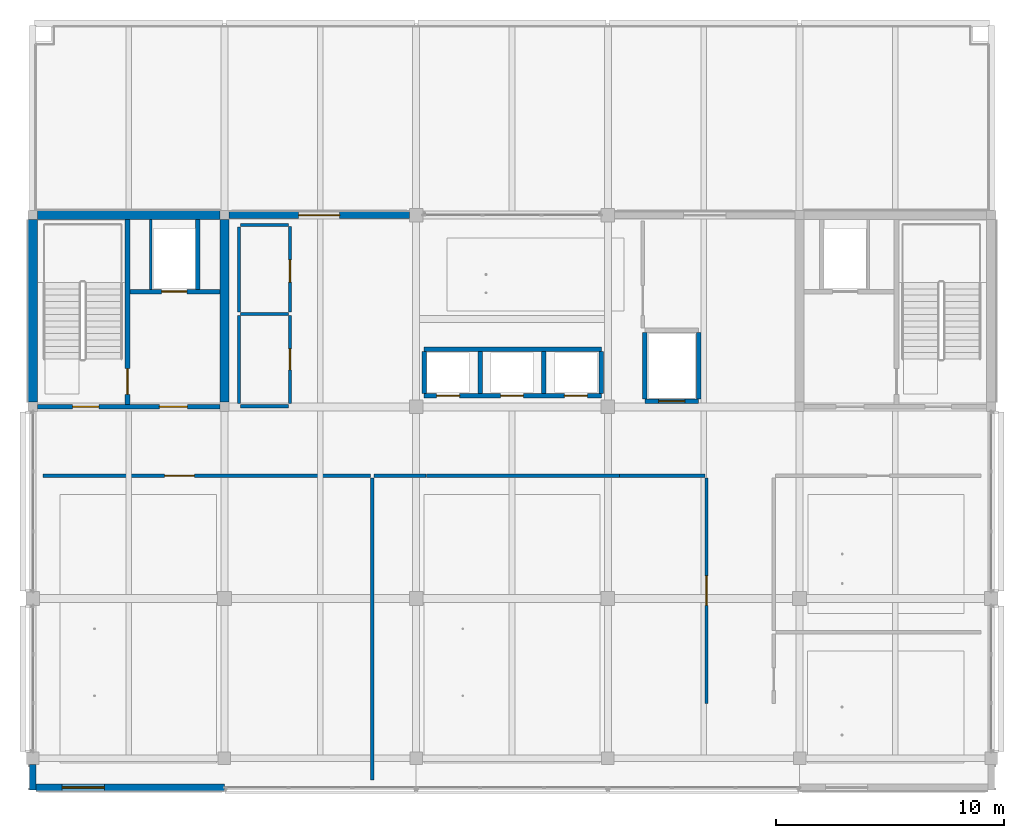
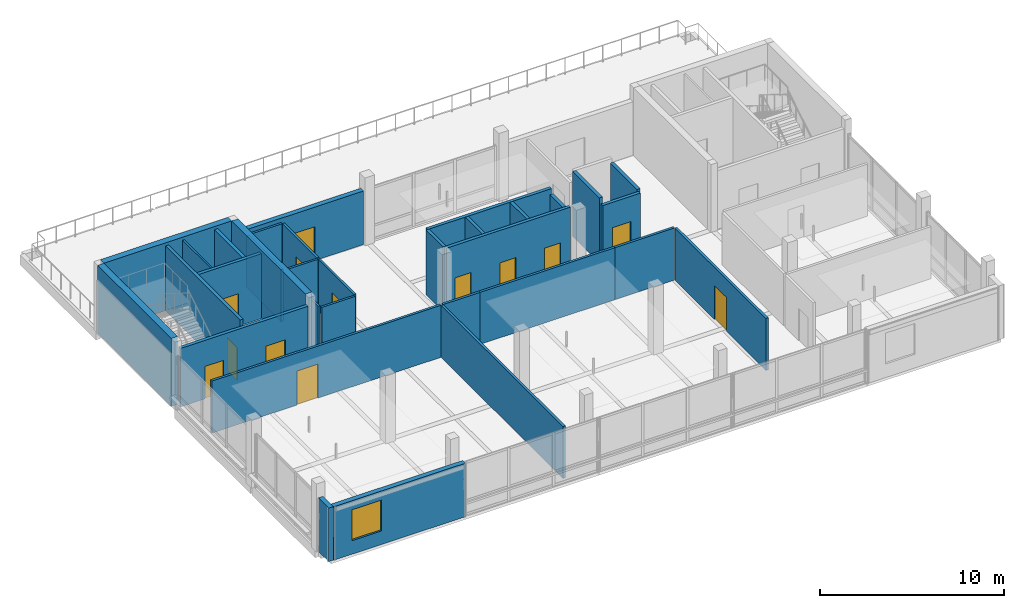
# One storey, part 8 of 25: 33 walls, 13 doors, 1 window, 14 openings.
"""IFC4 building model written with IfcOpenShell, lengths in metres."""

from ifc_helpers import new_model, si_unit, direction, frame, frame_2d, origin, place, context, subcontext, project, spatial, rectangle, extrude, material, layer, layer_set, type_object, element, fill, save


model = new_model("IFC4")

# Units and contexts
model_context = context("Model", 3, precision=1e-05, world=origin(), true_north=direction((0.0, 1.0)))
body_context = subcontext(model_context, "Body", "Model", "MODEL_VIEW")
ifc_project = project(units=[si_unit("LENGTHUNIT", "METRE"), si_unit("AREAUNIT", "SQUARE_METRE"), si_unit("VOLUMEUNIT", "CUBIC_METRE"), si_unit("PLANEANGLEUNIT", "RADIAN"), si_unit("MASSUNIT", "GRAM", prefix="KILO")], contexts=[model_context])

# Site, building, storey
site_placement = place(None, origin())
site = spatial("IfcSite", under=ifc_project, at=site_placement, CompositionType="ELEMENT")
building_placement = place(site_placement, origin())
building = spatial("IfcBuilding", under=site, at=building_placement, Name="Telukmera Botanical Conservatory", CompositionType="ELEMENT")
storey_placement = place(building_placement, frame((0.0, 0.0, 64.5)))
storey = spatial("IfcBuildingStorey", under=building, at=storey_placement, Name="L14", CompositionType="ELEMENT", Elevation=64.5)

# Wall
ifc_material_1 = material(Name="Terracotta-faced precast concrete C40/50", Category="masonry")
ifc_layer_1 = layer(ifc_material_1, 0.300048828125)
ifc_layer_set_1 = layer_set([ifc_layer_1], Name="Terracotta-faced precast concrete C40/50")
wall_type_1 = type_object("IfcWallType", Name="Exterior Polychrome Terracotta Precast Wall 300", PredefinedType="SOLIDWALL", material=ifc_layer_set_1)
wall_1_placement = place(storey_placement, frame((58.800048828125, 9.199951171875, 0.0), z_axis=(0.0, 0.0, 1.0), x_axis=(0.0, 1.0, 0.0)))
element("IfcWall", 1, at=wall_1_placement, inside=storey, type_object=wall_type_1, Name="Exterior Precast Wall EW02 V4:L14:SWC", PredefinedType="SOLIDWALL", context=body_context, shape_type="SweptSolid", body=[
    extrude(rectangle(XDim=1.123046875, YDim=0.300048828125, at=frame_2d((0.5615234375, 0.0))), origin(), (0.0, 0.0, 1.0), 3.550048828125),
])

# Wall, opening, window
wall_2_placement = place(storey_placement, frame((58.951904296875, 9.320068359375, 0.0), z_axis=(0.0, 0.0, 1.0), x_axis=(1.0, 0.0, 0.0)))
wall_2 = element("IfcWall", 2, at=wall_2_placement, inside=storey, type_object=wall_type_1, Name="Exterior Precast Wall EW02 V4:L14:S1", PredefinedType="SOLIDWALL", context=body_context, shape_type="SweptSolid", body=[
    extrude(rectangle(XDim=8.24609375, YDim=0.300048828125, at=frame_2d((4.123046875, 0.0))), origin(), (0.0, 0.0, 1.0), 3.550048828125),
])
opening_1_placement = place(wall_2_placement, frame((1.136474609375, 0.0, 0.89990234375)))
opening_1 = element("IfcOpeningElement", 3, at=opening_1_placement, cuts=wall_2, Name="Opening W12", PredefinedType="OPENING", context=body_context, shape_type="SweptSolid", body=[
    extrude(rectangle(XDim=1.85009765625, YDim=2.050048828125, at=frame_2d((0.925048828125, 1.02490234375))), frame((0.0, 0.159912109375, 0.0), z_axis=(0.0, -1.0, 0.0), x_axis=(1.0, 0.0, 0.0)), (0.0, 0.0, 1.0), 0.320068359375),
])
ifc_material_2 = material(Name="Thermally broken anodised aluminium frame with low-E double glazing", Category="aluminium")
window_type = type_object("IfcWindowType", Name="Double Horizontal Seminar Suite Window 1850x2050", PartitioningType="DOUBLE_PANEL_HORIZONTAL", PredefinedType="WINDOW", material=ifc_material_2)
window_placement = place(opening_1_placement, origin())
window = element("IfcWindow", 4, at=window_placement, inside=storey, type_object=window_type, Name="Facade Window W12 V4:L14:S1 1", OverallHeight=2.050048828125, OverallWidth=1.85009765625, PartitioningType="DOUBLE_PANEL_HORIZONTAL", PredefinedType="WINDOW", context=body_context, shape_type="SweptSolid", body=[
    extrude(rectangle(XDim=1.85009765625, YDim=2.050048828125, at=frame_2d((0.925048828125, 1.02490234375))), frame((0.0, 0.030029296875, 0.0), z_axis=(0.0, -1.0, 0.0), x_axis=(1.0, 0.0, 0.0)), (0.0, 0.0, 1.0), 0.06005859375),
])
fill(opening_1, window)

# Wall, opening, door
wall_3_placement = place(storey_placement, frame((67.402099609375, 34.39990234375, 0.0), z_axis=(0.0, 0.0, 1.0), x_axis=(1.0, 0.0, 0.0)))
wall_3 = element("IfcWall", 5, at=wall_3_placement, inside=storey, type_object=wall_type_1, Name="Exterior Precast Wall EW02 V4:L14:N2", PredefinedType="SOLIDWALL", context=body_context, shape_type="SweptSolid", body=[
    extrude(rectangle(XDim=7.89599609375, YDim=0.300048828125, at=frame_2d((3.947998046875, 0.0))), origin(), (0.0, 0.0, 1.0), 3.550048828125),
])
opening_2_placement = place(wall_3_placement, frame((3.048095703125, 0.0, 0.0)))
opening_2 = element("IfcOpeningElement", 6, at=opening_2_placement, cuts=wall_3, Name="Opening DT1401", PredefinedType="OPENING", context=body_context, shape_type="SweptSolid", body=[
    extrude(rectangle(XDim=1.800048828125, YDim=2.25, at=frame_2d((0.89990234375, 1.125))), frame((0.0, 0.159912109375, 0.0), z_axis=(0.0, -1.0, 0.0), x_axis=(1.0, 0.0, 0.0)), (0.0, 0.0, 1.0), 0.320068359375),
])
ifc_material_3 = material(Name="Thermally broken anodised aluminium glazed door assembly", Category="aluminium")
door_type_1 = type_object("IfcDoorType", Name="Level 14 Symposium Sky Terrace West Glazed Door 1800x2250", OperationType="NOTDEFINED", PredefinedType="DOOR", material=ifc_material_3)
door_1_placement = place(opening_2_placement, origin())
door_1 = element("IfcDoor", 7, at=door_1_placement, inside=storey, type_object=door_type_1, Name="Exterior Door DT1401", OperationType="DOUBLE_DOOR_SINGLE_SWING", OverallHeight=2.25, OverallWidth=1.800048828125, PredefinedType="DOOR", context=body_context, shape_type="SweptSolid", body=[
    extrude(rectangle(XDim=1.800048828125, YDim=2.25, at=frame_2d((0.89990234375, 1.125))), frame((0.0, 0.02490234375, 0.0), z_axis=(0.0, -1.0, 0.0), x_axis=(1.0, 0.0, 0.0)), (0.0, 0.0, 1.0), 0.050048828125),
])
fill(opening_2, door_1)

# Wall, openings, doors
ifc_material_4 = material(Name="Concrete C40/50", Category="concrete")
ifc_layer_2 = layer(ifc_material_4, 0.199951171875)
ifc_layer_set_2 = layer_set([ifc_layer_2], Name="Concrete C40/50")
wall_type_2 = type_object("IfcWallType", Name="WT-CORE-200", PredefinedType="SOLIDWALL", material=ifc_layer_set_2)
wall_4_placement = place(storey_placement, frame((59.0, 26.0, 0.0), z_axis=(0.0, 0.0, 1.0), x_axis=(1.0, 0.0, 0.0)))
wall_4 = element("IfcWall", 8, at=wall_4_placement, inside=storey, type_object=wall_type_2, Name="L14 Core C1 South Fire Wall", PredefinedType="SOLIDWALL", context=body_context, shape_type="SweptSolid", body=[
    extrude(rectangle(XDim=8.0, YDim=0.199951171875, at=frame_2d((4.0, 0.0))), origin(), (0.0, 0.0, 1.0), 3.8798828125),
])
opening_3_placement = place(wall_4_placement, frame((1.550048828125, 0.0, 0.0)))
opening_3 = element("IfcOpeningElement", 9, at=opening_3_placement, cuts=wall_4, Name="Opening FD60A", PredefinedType="OPENING", context=body_context, shape_type="SweptSolid", body=[
    extrude(rectangle(XDim=1.14990234375, YDim=2.14990234375, at=frame_2d((0.574951171875, 1.074951171875))), frame((0.0, 0.10986328125, 0.0), z_axis=(0.0, -1.0, 0.0), x_axis=(1.0, 0.0, 0.0)), (0.0, 0.0, 1.0), 0.219970703125),
])
opening_4_placement = place(wall_4_placement, frame((5.35009765625, 0.0, 0.0)))
opening_4 = element("IfcOpeningElement", 10, at=opening_4_placement, cuts=wall_4, Name="Opening FD60C", PredefinedType="OPENING", context=body_context, shape_type="SweptSolid", body=[
    extrude(rectangle(XDim=1.219970703125, YDim=2.14990234375, at=frame_2d((0.60986328125, 1.074951171875))), frame((0.0, 0.10986328125, 0.0), z_axis=(0.0, -1.0, 0.0), x_axis=(1.0, 0.0, 0.0)), (0.0, 0.0, 1.0), 0.219970703125),
])
ifc_material_5 = material(Name="Hardwood fire door", Category="wood")
door_type_2 = type_object("IfcDoorType", Name="DT-FD60-01", OperationType="NOTDEFINED", PredefinedType="DOOR", material=ifc_material_5)
door_2_placement = place(opening_3_placement, origin())
door_2 = element("IfcDoor", 11, at=door_2_placement, inside=storey, type_object=door_type_2, Name="L14 Stair ST1 Escape Door", OperationType="SINGLE_SWING_RIGHT", OverallHeight=2.14990234375, OverallWidth=1.14990234375, PredefinedType="DOOR", context=body_context, shape_type="SweptSolid", body=[
    extrude(rectangle(XDim=1.14990234375, YDim=2.14990234375, at=frame_2d((0.574951171875, 1.074951171875))), frame((0.0, 0.02490234375, 0.0), z_axis=(0.0, -1.0, 0.0), x_axis=(1.0, 0.0, 0.0)), (0.0, 0.0, 1.0), 0.050048828125),
])
fill(opening_3, door_2)
door_type_3 = type_object("IfcDoorType", Name="DT-FD60-03", OperationType="NOTDEFINED", PredefinedType="DOOR", material=ifc_material_5)
door_3_placement = place(opening_4_placement, origin())
door_3 = element("IfcDoor", 12, at=door_3_placement, inside=storey, type_object=door_type_3, Name="L14 Firefighting Lobby C1 Door", OperationType="SINGLE_SWING_LEFT", OverallHeight=2.14990234375, OverallWidth=1.219970703125, PredefinedType="DOOR", context=body_context, shape_type="SweptSolid", body=[
    extrude(rectangle(XDim=1.219970703125, YDim=2.14990234375, at=frame_2d((0.60986328125, 1.074951171875))), frame((0.0, 0.02490234375, 0.0), z_axis=(0.0, -1.0, 0.0), x_axis=(1.0, 0.0, 0.0)), (0.0, 0.0, 1.0), 0.050048828125),
])
fill(opening_4, door_3)

# Wall, opening, door
wall_5_placement = place(storey_placement, frame((62.949951171875, 26.10009765625, 0.0), z_axis=(0.0, 0.0, 1.0), x_axis=(0.0, 1.0, 0.0)))
wall_5 = element("IfcWall", 13, at=wall_5_placement, inside=storey, type_object=wall_type_2, Name="L14 Core C1 Stair-Lobby Wall", PredefinedType="SOLIDWALL", context=body_context, shape_type="SweptSolid", body=[
    extrude(rectangle(XDim=8.099853515625, YDim=0.199951171875, at=frame_2d((4.0498046875, 0.0))), origin(), (0.0, 0.0, 1.0), 4.300048828125),
])
opening_5_placement = place(wall_5_placement, frame((0.449951171875, 0.0, 0.0)))
opening_5 = element("IfcOpeningElement", 14, at=opening_5_placement, cuts=wall_5, Name="Opening FD60B", PredefinedType="OPENING", context=body_context, shape_type="SweptSolid", body=[
    extrude(rectangle(XDim=1.1201171875, YDim=2.14990234375, at=frame_2d((0.56005859375, 1.074951171875))), frame((0.0, 0.10986328125, 0.0), z_axis=(0.0, -1.0, 0.0), x_axis=(1.0, 0.0, 0.0)), (0.0, 0.0, 1.0), 0.219970703125),
])
door_type_4 = type_object("IfcDoorType", Name="DT-FD60-02", OperationType="NOTDEFINED", PredefinedType="DOOR", material=ifc_material_5)
door_4_placement = place(opening_5_placement, origin())
door_4 = element("IfcDoor", 15, at=door_4_placement, inside=storey, type_object=door_type_4, Name="L14 Firefighting Lobby C1 to ST1 Door", OperationType="SINGLE_SWING_RIGHT", OverallHeight=2.14990234375, OverallWidth=1.1201171875, PredefinedType="DOOR", context=body_context, shape_type="SweptSolid", body=[
    extrude(rectangle(XDim=1.1201171875, YDim=2.14990234375, at=frame_2d((0.56005859375, 1.074951171875))), frame((0.0, 0.02490234375, 0.0), z_axis=(0.0, -1.0, 0.0), x_axis=(1.0, 0.0, 0.0)), (0.0, 0.0, 1.0), 0.050048828125),
])
fill(opening_5, door_4)

wall_6_placement = place(storey_placement, frame((63.050048828125, 31.050048828125, 0.0), z_axis=(0.0, 0.0, 1.0), x_axis=(1.0, 0.0, 0.0)))
wall_6 = element("IfcWall", 16, at=wall_6_placement, inside=storey, type_object=wall_type_2, Name="L14 Fire Lift FL1 Shaft Front Wall", PredefinedType="SOLIDWALL", context=body_context, shape_type="SweptSolid", body=[
    extrude(rectangle(XDim=3.949951171875, YDim=0.199951171875, at=frame_2d((1.97509765625, 0.0))), origin(), (0.0, 0.0, 1.0), 4.300048828125),
])
opening_6_placement = place(wall_6_placement, frame((1.39990234375, 0.0, 0.0)))
opening_6 = element("IfcOpeningElement", 17, at=opening_6_placement, cuts=wall_6, Name="Opening LD01", PredefinedType="OPENING", context=body_context, shape_type="SweptSolid", body=[
    extrude(rectangle(XDim=1.10009765625, YDim=2.14990234375, at=frame_2d((0.550048828125, 1.074951171875))), frame((0.0, 0.10986328125, 0.0), z_axis=(0.0, -1.0, 0.0), x_axis=(1.0, 0.0, 0.0)), (0.0, 0.0, 1.0), 0.219970703125),
])
ifc_material_6 = material(Name="Stainless steel 316", Category="steel")
door_type_5 = type_object("IfcDoorType", Name="DT-LD01", OperationType="SLIDING_TO_LEFT", PredefinedType="DOOR", material=ifc_material_6)
door_5_placement = place(opening_6_placement, frame((1.10009765625, 0.0, 0.0), z_axis=(0.0, 0.0, 1.0), x_axis=(-1.0, 0.0, 0.0)))
door_5 = element("IfcDoor", 18, at=door_5_placement, inside=storey, type_object=door_type_5, Name="L14 Lift Landing Door FL1", OperationType="SLIDING_TO_LEFT", OverallHeight=2.14990234375, OverallWidth=1.10009765625, PredefinedType="DOOR", context=body_context, shape_type="SweptSolid", body=[
    extrude(rectangle(XDim=1.10009765625, YDim=2.14990234375, at=frame_2d((0.550048828125, 1.074951171875))), frame((0.0, 0.02490234375, 0.0), z_axis=(0.0, -1.0, 0.0), x_axis=(1.0, 0.0, 0.0)), (0.0, 0.0, 1.0), 0.050048828125),
])
fill(opening_6, door_5)

# Wall
wall_7_placement = place(storey_placement, frame((66.02001953125, 31.14990234375, 0.0), z_axis=(0.0, 0.0, 1.0), x_axis=(0.0, 1.0, 0.0)))
element("IfcWall", 19, at=wall_7_placement, inside=storey, type_object=wall_type_2, Name="L14 Fire Lift FL1 Shaft East Wall", PredefinedType="SOLIDWALL", context=body_context, shape_type="SweptSolid", body=[
    extrude(rectangle(XDim=3.050048828125, YDim=0.199951171875, at=frame_2d((1.52490234375, 0.0))), origin(), (0.0, 0.0, 1.0), 4.300048828125),
])

# Wall, openings, doors
wall_8_placement = place(storey_placement, frame((75.949951171875, 26.47998046875, 0.0), z_axis=(0.0, 0.0, 1.0), x_axis=(1.0, 0.0, 0.0)))
wall_8 = element("IfcWall", 20, at=wall_8_placement, inside=storey, type_object=wall_type_2, Name="L14 Passenger Lift Bank Front Wall", PredefinedType="SOLIDWALL", context=body_context, shape_type="SweptSolid", body=[
    extrude(rectangle(XDim=7.77001953125, YDim=0.199951171875, at=frame_2d((3.885009765625, 0.0))), origin(), (0.0, 0.0, 1.0), 4.300048828125),
])
opening_7_placement = place(wall_8_placement, frame((0.550048828125, 0.0, 0.0)))
opening_7 = element("IfcOpeningElement", 21, at=opening_7_placement, cuts=wall_8, Name="Opening LD03", PredefinedType="OPENING", context=body_context, shape_type="SweptSolid", body=[
    extrude(rectangle(XDim=1.0, YDim=2.14990234375, at=frame_2d((0.5, 1.074951171875))), frame((0.0, 0.10986328125, 0.0), z_axis=(0.0, -1.0, 0.0), x_axis=(1.0, 0.0, 0.0)), (0.0, 0.0, 1.0), 0.219970703125),
])
opening_8_placement = place(wall_8_placement, frame((3.35009765625, 0.0, 0.0)))
opening_8 = element("IfcOpeningElement", 22, at=opening_8_placement, cuts=wall_8, Name="Opening LD03", PredefinedType="OPENING", context=body_context, shape_type="SweptSolid", body=[
    extrude(rectangle(XDim=1.0, YDim=2.14990234375, at=frame_2d((0.5, 1.074951171875))), frame((0.0, 0.10986328125, 0.0), z_axis=(0.0, -1.0, 0.0), x_axis=(1.0, 0.0, 0.0)), (0.0, 0.0, 1.0), 0.219970703125),
])
opening_9_placement = place(wall_8_placement, frame((6.14990234375, 0.0, 0.0)))
opening_9 = element("IfcOpeningElement", 23, at=opening_9_placement, cuts=wall_8, Name="Opening LD03", PredefinedType="OPENING", context=body_context, shape_type="SweptSolid", body=[
    extrude(rectangle(XDim=1.0, YDim=2.14990234375, at=frame_2d((0.5, 1.074951171875))), frame((0.0, 0.10986328125, 0.0), z_axis=(0.0, -1.0, 0.0), x_axis=(1.0, 0.0, 0.0)), (0.0, 0.0, 1.0), 0.219970703125),
])
door_type_6 = type_object("IfcDoorType", Name="DT-LD03", OperationType="SLIDING_TO_LEFT", PredefinedType="DOOR", material=ifc_material_6)
door_6_placement = place(opening_7_placement, frame((1.0, 0.0, 0.0), z_axis=(0.0, 0.0, 1.0), x_axis=(-1.0, 0.0, 0.0)))
door_6 = element("IfcDoor", 24, at=door_6_placement, inside=storey, type_object=door_type_6, Name="L14 Lift Landing Door PL1", OperationType="SLIDING_TO_LEFT", OverallHeight=2.14990234375, OverallWidth=1.0, PredefinedType="DOOR", context=body_context, shape_type="SweptSolid", body=[
    extrude(rectangle(XDim=1.0, YDim=2.14990234375, at=frame_2d((0.5, 1.074951171875))), frame((0.0, 0.02490234375, 0.0), z_axis=(0.0, -1.0, 0.0), x_axis=(1.0, 0.0, 0.0)), (0.0, 0.0, 1.0), 0.050048828125),
])
fill(opening_7, door_6)
door_7_placement = place(opening_8_placement, frame((1.0, 0.0, 0.0), z_axis=(0.0, 0.0, 1.0), x_axis=(-1.0, 0.0, 0.0)))
door_7 = element("IfcDoor", 25, at=door_7_placement, inside=storey, type_object=door_type_6, Name="L14 Lift Landing Door PL2", OperationType="SLIDING_TO_LEFT", OverallHeight=2.14990234375, OverallWidth=1.0, PredefinedType="DOOR", context=body_context, shape_type="SweptSolid", body=[
    extrude(rectangle(XDim=1.0, YDim=2.14990234375, at=frame_2d((0.5, 1.074951171875))), frame((0.0, 0.02490234375, 0.0), z_axis=(0.0, -1.0, 0.0), x_axis=(1.0, 0.0, 0.0)), (0.0, 0.0, 1.0), 0.050048828125),
])
fill(opening_8, door_7)
door_8_placement = place(opening_9_placement, frame((1.0, 0.0, 0.0), z_axis=(0.0, 0.0, 1.0), x_axis=(-1.0, 0.0, 0.0)))
door_8 = element("IfcDoor", 26, at=door_8_placement, inside=storey, type_object=door_type_6, Name="L14 Lift Landing Door PL3", OperationType="SLIDING_TO_LEFT", OverallHeight=2.14990234375, OverallWidth=1.0, PredefinedType="DOOR", context=body_context, shape_type="SweptSolid", body=[
    extrude(rectangle(XDim=1.0, YDim=2.14990234375, at=frame_2d((0.5, 1.074951171875))), frame((0.0, 0.02490234375, 0.0), z_axis=(0.0, -1.0, 0.0), x_axis=(1.0, 0.0, 0.0)), (0.0, 0.0, 1.0), 0.050048828125),
])
fill(opening_9, door_8)

# Walls
wall_9_placement = place(storey_placement, frame((75.949951171875, 28.52001953125, 0.0), z_axis=(0.0, 0.0, 1.0), x_axis=(1.0, 0.0, 0.0)))
element("IfcWall", 27, at=wall_9_placement, inside=storey, type_object=wall_type_2, Name="L14 Passenger Lift Bank Rear Wall", PredefinedType="SOLIDWALL", context=body_context, shape_type="SweptSolid", body=[
    extrude(rectangle(XDim=7.77001953125, YDim=0.199951171875, at=frame_2d((3.885009765625, 0.0))), origin(), (0.0, 0.0, 1.0), 4.300048828125),
])
for number, where, z_axis, x_axis, name in (
    (28, (75.949951171875, 26.580078125, 0.0), (0.0, 0.0, 1.0), (0.0, 1.0, 0.0), "L14 Passenger Lift Shaft Wall 1"),
    (29, (78.39990234375, 26.580078125, 0.0), (0.0, 0.0, 1.0), (0.0, 1.0, 0.0), "L14 Passenger Lift Shaft Wall 2"),
    (30, (81.199951171875, 26.580078125, 0.0), (0.0, 0.0, 1.0), (0.0, 1.0, 0.0), "L14 Passenger Lift Shaft Wall 3"),
):
    element("IfcWall", number, at=place(storey_placement, frame(where, z_axis=z_axis, x_axis=x_axis)), inside=storey, type_object=wall_type_2, Name=name, PredefinedType="SOLIDWALL", context=body_context, shape_type="SweptSolid", body=[
        extrude(rectangle(XDim=1.83984375, YDim=0.199951171875, at=frame_2d((0.919921875, 0.0))), origin(), (0.0, 0.0, 1.0), 4.300048828125),
    ])
wall_10_placement = place(storey_placement, frame((83.719970703125, 26.580078125, 0.0), z_axis=(0.0, 0.0, 1.0), x_axis=(0.0, 1.0, 0.0)))
element("IfcWall", 31, at=wall_10_placement, inside=storey, type_object=wall_type_2, Name="L14 Passenger Lift Shaft Wall 4", PredefinedType="SOLIDWALL", context=body_context, shape_type="SweptSolid", body=[
    extrude(rectangle(XDim=1.83984375, YDim=0.199951171875, at=frame_2d((0.919921875, 0.0))), origin(), (0.0, 0.0, 1.0), 3.929931640625),
])

# Wall, opening, door
wall_11_placement = place(storey_placement, frame((85.6201171875, 26.25, 0.0), z_axis=(0.0, 0.0, 1.0), x_axis=(1.0, 0.0, 0.0)))
wall_11 = element("IfcWall", 32, at=wall_11_placement, inside=storey, type_object=wall_type_2, Name="L14 Goods Lift GL1 Front Wall", PredefinedType="SOLIDWALL", context=body_context, shape_type="SweptSolid", body=[
    extrude(rectangle(XDim=2.35986328125, YDim=0.199951171875, at=frame_2d((1.179931640625, 0.0))), origin(), (0.0, 0.0, 1.0), 3.8798828125),
])
opening_10_placement = place(wall_11_placement, frame((0.60498046875, 0.0, 0.0)))
opening_10 = element("IfcOpeningElement", 33, at=opening_10_placement, cuts=wall_11, Name="Opening LD02", PredefinedType="OPENING", context=body_context, shape_type="SweptSolid", body=[
    extrude(rectangle(XDim=1.14990234375, YDim=2.199951171875, at=frame_2d((0.574951171875, 1.10009765625))), frame((0.0, 0.10986328125, 0.0), z_axis=(0.0, -1.0, 0.0), x_axis=(1.0, 0.0, 0.0)), (0.0, 0.0, 1.0), 0.219970703125),
])
door_type_7 = type_object("IfcDoorType", Name="DT-LD02", OperationType="SLIDING_TO_LEFT", PredefinedType="DOOR", material=ifc_material_6)
door_9_placement = place(opening_10_placement, frame((1.14990234375, 0.0, 0.0), z_axis=(0.0, 0.0, 1.0), x_axis=(-1.0, 0.0, 0.0)))
door_9 = element("IfcDoor", 34, at=door_9_placement, inside=storey, type_object=door_type_7, Name="L14 Lift Landing Door GL1", OperationType="SLIDING_TO_LEFT", OverallHeight=2.199951171875, OverallWidth=1.14990234375, PredefinedType="DOOR", context=body_context, shape_type="SweptSolid", body=[
    extrude(rectangle(XDim=1.14990234375, YDim=2.199951171875, at=frame_2d((0.574951171875, 1.10009765625))), frame((0.0, 0.02490234375, 0.0), z_axis=(0.0, -1.0, 0.0), x_axis=(1.0, 0.0, 0.0)), (0.0, 0.0, 1.0), 0.050048828125),
])
fill(opening_10, door_9)

# Walls
wall_12_placement = place(storey_placement, frame((85.6201171875, 26.35009765625, 0.0), z_axis=(0.0, 0.0, 1.0), x_axis=(0.0, 1.0, 0.0)))
element("IfcWall", 35, at=wall_12_placement, inside=storey, type_object=wall_type_2, Name="L14 Goods Lift GL1 Side Wall 1", PredefinedType="SOLIDWALL", context=body_context, shape_type="SweptSolid", body=[
    extrude(rectangle(XDim=2.89990234375, YDim=0.199951171875, at=frame_2d((1.449951171875, 0.0))), origin(), (0.0, 0.0, 1.0), 4.300048828125),
])
wall_13_placement = place(storey_placement, frame((87.97998046875, 26.35009765625, 0.0), z_axis=(0.0, 0.0, 1.0), x_axis=(0.0, 1.0, 0.0)))
element("IfcWall", 36, at=wall_13_placement, inside=storey, type_object=wall_type_2, Name="L14 Goods Lift GL1 Side Wall 2", PredefinedType="SOLIDWALL", context=body_context, shape_type="SweptSolid", body=[
    extrude(rectangle(XDim=2.89990234375, YDim=0.199951171875, at=frame_2d((1.449951171875, 0.0))), origin(), (0.0, 0.0, 1.0), 4.030029296875),
])
ifc_material_7 = material(Name="Gypsum shaftwall liner")
ifc_layer_3 = layer(ifc_material_7, 0.110107421875)
ifc_layer_set_3 = layer_set([ifc_layer_3], Name="Gypsum shaftwall liner")
wall_type_3 = type_object("IfcWallType", Name="WT-RISER-110", PredefinedType="PARTITIONING", material=ifc_layer_set_3)
wall_14_placement = place(storey_placement, frame((63.97998046875, 31.14990234375, 0.0), z_axis=(0.0, 0.0, 1.0), x_axis=(0.0, 1.0, 0.0)))
element("IfcWall", 37, at=wall_14_placement, inside=storey, type_object=wall_type_3, Name="L14 Wet Riser C1 Shaft Wall", PredefinedType="PARTITIONING", context=body_context, shape_type="SweptSolid", body=[
    extrude(rectangle(XDim=3.050048828125, YDim=0.110107421875, at=frame_2d((1.52490234375, 0.0))), origin(), (0.0, 0.0, 1.0), 4.300048828125),
])
ifc_material_8 = material(Name="Gypsum acoustic stud partition")
ifc_layer_4 = layer(ifc_material_8, 0.14990234375)
ifc_layer_set_4 = layer_set([ifc_layer_4], Name="Gypsum acoustic stud partition")
wall_type_4 = type_object("IfcWallType", Name="WT-STD-150", PredefinedType="PARTITIONING", material=ifc_layer_set_4)
wall_15_placement = place(storey_placement, frame((76.050048828125, 22.97509765625, 0.0), z_axis=(0.0, 0.0, 1.0), x_axis=(1.0, 0.0, 0.0)))
element("IfcWall", 38, at=wall_15_placement, inside=storey, type_object=wall_type_4, Name="L14 Interior Partition 06", PredefinedType="PARTITIONING", context=body_context, shape_type="SweptSolid", body=[
    extrude(rectangle(XDim=8.449951171875, YDim=0.14990234375, at=frame_2d((4.22509765625, 0.0))), origin(), (0.0, 0.0, 1.0), 3.449951171875),
])
wall_16_placement = place(storey_placement, frame((84.510009765625, 22.97509765625, 0.0), z_axis=(0.0, 0.0, 1.0), x_axis=(1.0, 0.0, 0.0)))
element("IfcWall", 39, at=wall_16_placement, inside=storey, type_object=wall_type_4, Name="L14 Interior Partition 07", PredefinedType="PARTITIONING", context=body_context, shape_type="SweptSolid", body=[
    extrude(rectangle(XDim=3.739990234375, YDim=0.14990234375, at=frame_2d((1.8701171875, 0.0))), origin(), (0.0, 0.0, 1.0), 3.449951171875),
])

# Wall, opening, door
wall_17_placement = place(storey_placement, frame((59.25, 22.97509765625, 0.0), z_axis=(0.0, 0.0, 1.0), x_axis=(1.0, 0.0, 0.0)))
wall_17 = element("IfcWall", 40, at=wall_17_placement, inside=storey, type_object=wall_type_4, Name="L14 Interior Partition 08", PredefinedType="PARTITIONING", context=body_context, shape_type="SweptSolid", body=[
    extrude(rectangle(XDim=14.35009765625, YDim=0.14990234375, at=frame_2d((7.175048828125, 0.0))), origin(), (0.0, 0.0, 1.0), 3.449951171875),
])
opening_11_placement = place(wall_17_placement, frame((5.329833984375, 0.0, 0.0)))
opening_11 = element("IfcOpeningElement", 41, at=opening_11_placement, cuts=wall_17, Name="Opening ID07", PredefinedType="OPENING", context=body_context, shape_type="SweptSolid", body=[
    extrude(rectangle(XDim=1.300048828125, YDim=2.25, at=frame_2d((0.64990234375, 1.125))), frame((0.0, 0.0849609375, 0.0), z_axis=(0.0, -1.0, 0.0), x_axis=(1.0, 0.0, 0.0)), (0.0, 0.0, 1.0), 0.169921875),
])
ifc_material_9 = material(Name="Acoustic timber seminar door", Category="wood")
door_type_8 = type_object("IfcDoorType", Name="DT-SEM-130", OperationType="NOTDEFINED", PredefinedType="DOOR", material=ifc_material_9)
door_10_placement = place(opening_11_placement, frame((1.300048828125, 0.0, 0.0), z_axis=(0.0, 0.0, 1.0), x_axis=(-1.0, 0.0, 0.0)))
door_10 = element("IfcDoor", 42, at=door_10_placement, inside=storey, type_object=door_type_8, Name="L14 Symposium Seminar Room Door", OperationType="SINGLE_SWING_RIGHT", OverallHeight=2.25, OverallWidth=1.300048828125, PredefinedType="DOOR", context=body_context, shape_type="SweptSolid", body=[
    extrude(rectangle(XDim=1.300048828125, YDim=2.25, at=frame_2d((0.64990234375, 1.125))), frame((0.0, 0.02490234375, 0.0), z_axis=(0.0, -1.0, 0.0), x_axis=(1.0, 0.0, 0.0)), (0.0, 0.0, 1.0), 0.050048828125),
])
fill(opening_11, door_10)

# Wall
wall_18_placement = place(storey_placement, frame((73.75, 22.97509765625, 0.0), z_axis=(0.0, 0.0, 1.0), x_axis=(1.0, 0.0, 0.0)))
element("IfcWall", 43, at=wall_18_placement, inside=storey, type_object=wall_type_4, Name="L14 Interior Partition 09", PredefinedType="PARTITIONING", context=body_context, shape_type="SweptSolid", body=[
    extrude(rectangle(XDim=2.2900390625, YDim=0.14990234375, at=frame_2d((1.14501953125, 0.0))), origin(), (0.0, 0.0, 1.0), 3.449951171875),
])

# Wall, opening, door
wall_19_placement = place(storey_placement, frame((88.324951171875, 13.0, 0.0), z_axis=(0.0, 0.0, 1.0), x_axis=(0.0, 1.0, 0.0)))
wall_19 = element("IfcWall", 44, at=wall_19_placement, inside=storey, type_object=wall_type_4, Name="L14 Interior Partition 11", PredefinedType="PARTITIONING", context=body_context, shape_type="SweptSolid", body=[
    extrude(rectangle(XDim=9.889892578125, YDim=0.14990234375, at=frame_2d((4.94482421875, 0.0))), origin(), (0.0, 0.0, 1.0), 3.449951171875),
])
opening_12_placement = place(wall_19_placement, frame((4.294921875, 0.0, 0.0)))
opening_12 = element("IfcOpeningElement", 45, at=opening_12_placement, cuts=wall_19, Name="Opening ID07", PredefinedType="OPENING", context=body_context, shape_type="SweptSolid", body=[
    extrude(rectangle(XDim=1.300048828125, YDim=2.25, at=frame_2d((0.64990234375, 1.125))), frame((0.0, 0.0849609375, 0.0), z_axis=(0.0, -1.0, 0.0), x_axis=(1.0, 0.0, 0.0)), (0.0, 0.0, 1.0), 0.169921875),
])
door_11_placement = place(opening_12_placement, origin())
door_11 = element("IfcDoor", 46, at=door_11_placement, inside=storey, type_object=door_type_8, Name="L14 Botanical Colloquium Room Door", OperationType="SINGLE_SWING_LEFT", OverallHeight=2.25, OverallWidth=1.300048828125, PredefinedType="DOOR", context=body_context, shape_type="SweptSolid", body=[
    extrude(rectangle(XDim=1.300048828125, YDim=2.25, at=frame_2d((0.64990234375, 1.125))), frame((0.0, 0.02490234375, 0.0), z_axis=(0.0, -1.0, 0.0), x_axis=(1.0, 0.0, 0.0)), (0.0, 0.0, 1.0), 0.050048828125),
])
fill(opening_12, door_11)

# Wall
wall_20_placement = place(storey_placement, frame((73.675048828125, 9.64990234375, 0.0), z_axis=(0.0, 0.0, 1.0), x_axis=(0.0, 1.0, 0.0)))
element("IfcWall", 47, at=wall_20_placement, inside=storey, type_object=wall_type_4, Name="L14 Interior Partition 14", PredefinedType="PARTITIONING", context=body_context, shape_type="SweptSolid", body=[
    extrude(rectangle(XDim=13.239990234375, YDim=0.14990234375, at=frame_2d((6.6201171875, 0.0))), origin(), (0.0, 0.0, 1.0), 3.449951171875),
])

# Wall, opening, door
ifc_material_10 = material(Name="Moisture-resistant blockwork", Category="masonry")
ifc_layer_5 = layer(ifc_material_10, 0.135009765625)
ifc_layer_set_5 = layer_set([ifc_layer_5], Name="Moisture-resistant blockwork")
wall_type_5 = type_object("IfcWallType", Name="WT-WC-135", PredefinedType="PARTITIONING", material=ifc_layer_set_5)
wall_21_placement = place(storey_placement, frame((70.074951171875, 26.14990234375, 0.0), z_axis=(0.0, 0.0, 1.0), x_axis=(0.0, 1.0, 0.0)))
wall_21 = element("IfcWall", 48, at=wall_21_placement, inside=storey, type_object=wall_type_5, Name="L14 Interior Partition 01", PredefinedType="PARTITIONING", context=body_context, shape_type="SweptSolid", body=[
    extrude(rectangle(XDim=3.85009765625, YDim=0.135009765625, at=frame_2d((1.925048828125, 0.0))), origin(), (0.0, 0.0, 1.0), 3.449951171875),
])
opening_13_placement = place(wall_21_placement, frame((1.465087890625, 0.0, 0.0)))
opening_13 = element("IfcOpeningElement", 49, at=opening_13_placement, cuts=wall_21, Name="Opening ID17", PredefinedType="OPENING", context=body_context, shape_type="SweptSolid", body=[
    extrude(rectangle(XDim=0.919921875, YDim=2.1201171875, at=frame_2d((0.4599609375, 1.06005859375))), frame((0.0, 0.077392578125, 0.0), z_axis=(0.0, -1.0, 0.0), x_axis=(1.0, 0.0, 0.0)), (0.0, 0.0, 1.0), 0.155029296875),
])
ifc_material_11 = material(Name="Moisture-resistant laminate WC door")
door_type_9 = type_object("IfcDoorType", Name="DT-WC-092", OperationType="NOTDEFINED", PredefinedType="DOOR", material=ifc_material_11)
door_12_placement = place(opening_13_placement, frame((0.919921875, 0.0, 0.0), z_axis=(0.0, 0.0, 1.0), x_axis=(-1.0, 0.0, 0.0)))
door_12 = element("IfcDoor", 50, at=door_12_placement, inside=storey, type_object=door_type_9, Name="L14 Public WC Door", OperationType="SINGLE_SWING_LEFT", OverallHeight=2.1201171875, OverallWidth=0.919921875, PredefinedType="DOOR", context=body_context, shape_type="SweptSolid", body=[
    extrude(rectangle(XDim=0.919921875, YDim=2.1201171875, at=frame_2d((0.4599609375, 1.06005859375))), frame((0.0, 0.02490234375, 0.0), z_axis=(0.0, -1.0, 0.0), x_axis=(1.0, 0.0, 0.0)), (0.0, 0.0, 1.0), 0.050048828125),
])
fill(opening_13, door_12)

wall_22_placement = place(storey_placement, frame((70.074951171875, 30.14990234375, 0.0), z_axis=(0.0, 0.0, 1.0), x_axis=(0.0, 1.0, 0.0)))
wall_22 = element("IfcWall", 51, at=wall_22_placement, inside=storey, type_object=wall_type_5, Name="L14 Interior Partition 02", PredefinedType="PARTITIONING", context=body_context, shape_type="SweptSolid", body=[
    extrude(rectangle(XDim=3.75, YDim=0.135009765625, at=frame_2d((1.875, 0.0))), origin(), (0.0, 0.0, 1.0), 3.449951171875),
])
opening_14_placement = place(wall_22_placement, frame((1.309326171875, 0.0, 0.0)))
opening_14 = element("IfcOpeningElement", 52, at=opening_14_placement, cuts=wall_22, Name="Opening ID15", PredefinedType="OPENING", context=body_context, shape_type="SweptSolid", body=[
    extrude(rectangle(XDim=0.97998046875, YDim=2.14990234375, at=frame_2d((0.489990234375, 1.074951171875))), frame((0.0, 0.077392578125, 0.0), z_axis=(0.0, -1.0, 0.0), x_axis=(1.0, 0.0, 0.0)), (0.0, 0.0, 1.0), 0.155029296875),
])
ifc_material_12 = material(Name="Accessible sanitary laminate door")
door_type_10 = type_object("IfcDoorType", Name="DT-OKU-098", OperationType="NOTDEFINED", PredefinedType="DOOR", material=ifc_material_12)
door_13_placement = place(opening_14_placement, frame((0.97998046875, 0.0, 0.0), z_axis=(0.0, 0.0, 1.0), x_axis=(-1.0, 0.0, 0.0)))
door_13 = element("IfcDoor", 53, at=door_13_placement, inside=storey, type_object=door_type_10, Name="L14 Accessible WC Door", OperationType="SINGLE_SWING_RIGHT", OverallHeight=2.14990234375, OverallWidth=0.97998046875, PredefinedType="DOOR", context=body_context, shape_type="SweptSolid", body=[
    extrude(rectangle(XDim=0.97998046875, YDim=2.14990234375, at=frame_2d((0.489990234375, 1.074951171875))), frame((0.0, 0.02490234375, 0.0), z_axis=(0.0, -1.0, 0.0), x_axis=(1.0, 0.0, 0.0)), (0.0, 0.0, 1.0), 0.050048828125),
])
fill(opening_14, door_13)

# Walls
for number, where, z_axis, x_axis, name in (
    (54, (67.89990234375, 30.074951171875, 0.0), (0.0, 0.0, 1.0), (1.0, 0.0, 0.0), "L14 Interior Partition 03"),
    (55, (67.89990234375, 26.02490234375, 0.0), (0.0, 0.0, 1.0), (1.0, 0.0, 0.0), "L14 Interior Partition 04"),
):
    element("IfcWall", number, at=place(storey_placement, frame(where, z_axis=z_axis, x_axis=x_axis)), inside=storey, type_object=wall_type_5, Name=name, PredefinedType="PARTITIONING", context=body_context, shape_type="SweptSolid", body=[
        extrude(rectangle(XDim=2.10009765625, YDim=0.135009765625, at=frame_2d((1.050048828125, 0.0))), origin(), (0.0, 0.0, 1.0), 3.449951171875),
    ])
wall_23_placement = place(storey_placement, frame((67.83251953125, 26.14990234375, 0.0), z_axis=(0.0, 0.0, 1.0), x_axis=(0.0, 1.0, 0.0)))
element("IfcWall", 56, at=wall_23_placement, inside=storey, type_object=wall_type_5, Name="L14 WC Enclosure Partition 01", PredefinedType="PARTITIONING", context=body_context, shape_type="SweptSolid", body=[
    extrude(rectangle(XDim=3.84765625, YDim=0.135009765625, at=frame_2d((1.923828125, 0.0))), origin(), (0.0, 0.0, 1.0), 3.449951171875),
])
wall_24_placement = place(storey_placement, frame((67.89990234375, 33.967529296875, 0.0), z_axis=(0.0, 0.0, 1.0), x_axis=(1.0, 0.0, 0.0)))
element("IfcWall", 57, at=wall_24_placement, inside=storey, type_object=wall_type_5, Name="L14 WC Enclosure Partition 02", PredefinedType="PARTITIONING", context=body_context, shape_type="SweptSolid", body=[
    extrude(rectangle(XDim=2.09765625, YDim=0.135009765625, at=frame_2d((1.048828125, 0.0))), origin(), (0.0, 0.0, 1.0), 3.449951171875),
])
wall_25_placement = place(storey_placement, frame((67.83251953125, 30.152587890625, 0.0), z_axis=(0.0, 0.0, 1.0), x_axis=(0.0, 1.0, 0.0)))
element("IfcWall", 58, at=wall_25_placement, inside=storey, type_object=wall_type_5, Name="L14 WC Enclosure Partition 03", PredefinedType="PARTITIONING", context=body_context, shape_type="SweptSolid", body=[
    extrude(rectangle(XDim=3.7373046875, YDim=0.135009765625, at=frame_2d((1.86865234375, 0.0))), origin(), (0.0, 0.0, 1.0), 3.449951171875),
])
ifc_material_13 = material(Name="Concrete C50/60", Category="concrete")
ifc_layer_6 = layer(ifc_material_13, 0.39990234375)
ifc_layer_set_6 = layer_set([ifc_layer_6], Name="Concrete C50/60")
wall_type_6 = type_object("IfcWallType", Name="Wall_CW1", PredefinedType="SHEAR", material=ifc_layer_set_6)
for number, where, z_axis, x_axis, name in (
    (59, (58.800048828125, 26.199951171875, 0.0), (0.0, 0.0, 1.0), (0.0, 1.0, 0.0), "Core C1 Shear Wall West L14"),
    (60, (67.199951171875, 26.199951171875, 0.0), (0.0, 0.0, 1.0), (0.0, 1.0, 0.0), "Core C1 Shear Wall East L14"),
    (61, (59.0, 34.39990234375, 0.0), (0.0, 0.0, 1.0), (1.0, 0.0, 0.0), "Core C1 Shear Wall North L14"),
):
    element("IfcWall", number, at=place(storey_placement, frame(where, z_axis=z_axis, x_axis=x_axis)), inside=storey, type_object=wall_type_6, Name=name, PredefinedType="SHEAR", context=body_context, shape_type="SweptSolid", body=[
        extrude(rectangle(XDim=8.0, YDim=0.39990234375, at=frame_2d((4.0, 0.0))), origin(), (0.0, 0.0, 1.0), 4.5),
    ])

save(model, "model.ifc")
